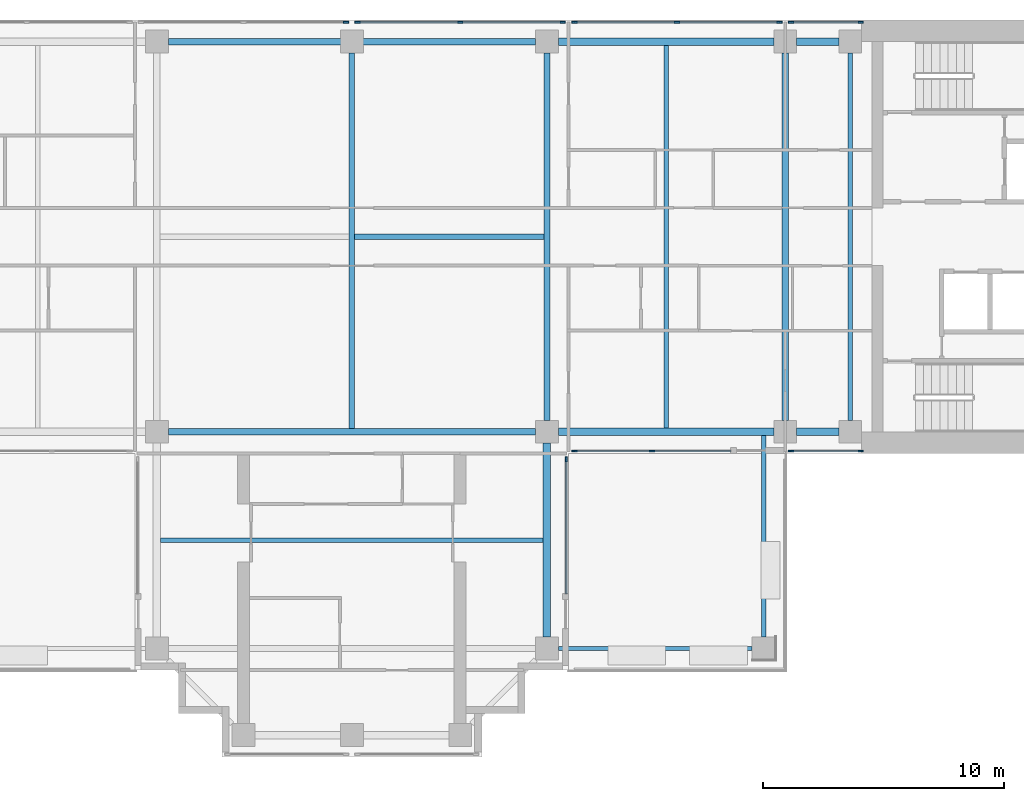
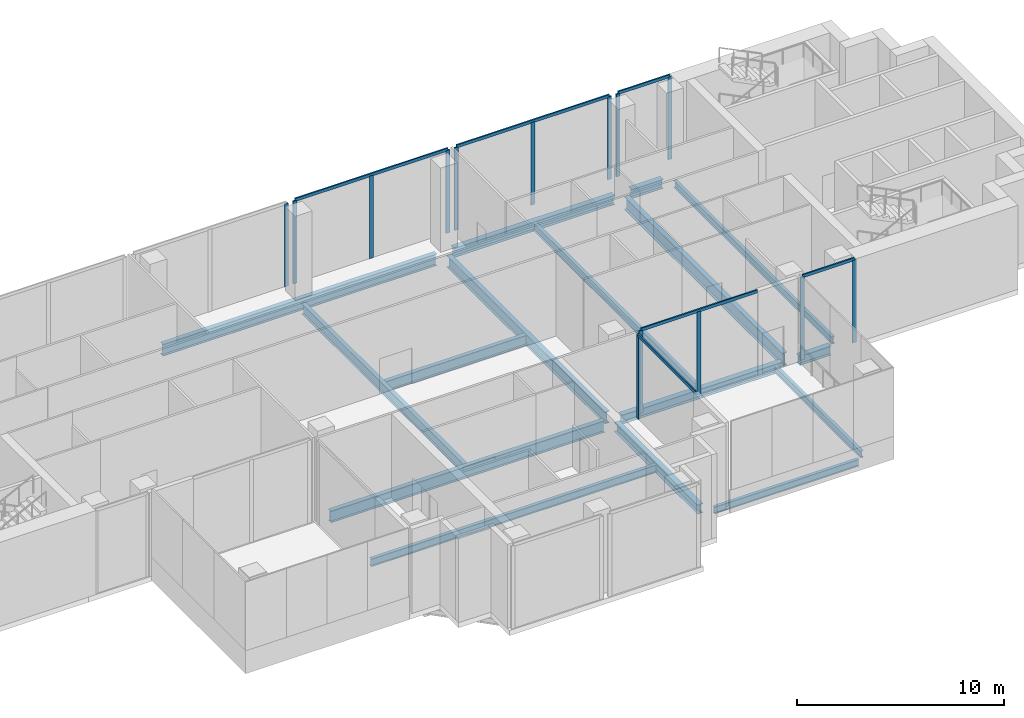
# One storey, part 3 of 12: 20 members, 16 beams, 7 elements without a shape of their own.
"""IFC4 building model written with IfcOpenShell, lengths in metres."""

from ifc_helpers import new_model, si_unit, direction, frame, origin, origin_2d, place, context, subcontext, project, spatial, rectangle, i_section, extrude, material, material_profile, profile_set, type_object, element, aggregate, save


model = new_model("IFC4")

# Units and contexts
model_context = context("Model", 3, precision=1e-05, world=origin(), true_north=direction((0.0, 1.0)))
body_context = subcontext(model_context, "Body", "Model", "MODEL_VIEW")
ifc_project = project(units=[si_unit("LENGTHUNIT", "METRE"), si_unit("AREAUNIT", "SQUARE_METRE"), si_unit("VOLUMEUNIT", "CUBIC_METRE"), si_unit("PLANEANGLEUNIT", "RADIAN"), si_unit("MASSUNIT", "GRAM", prefix="KILO")], contexts=[model_context])

# Site, building, storey
site_placement = place(None, origin())
site = spatial("IfcSite", under=ifc_project, at=site_placement, CompositionType="ELEMENT")
building_placement = place(site_placement, origin())
building = spatial("IfcBuilding", under=site, at=building_placement, Name="Perihelion Cross Residences", CompositionType="ELEMENT")
storey_placement = place(building_placement, frame((0.0, 0.0, 222.60009765625)))
storey = spatial("IfcBuildingStorey", under=building, at=storey_placement, Name="L56", CompositionType="ELEMENT", Elevation=222.60009765625)

# Curtain wall, members
ifc_material_1 = material(Name="Bronze anodised aluminium, tinted glazing", Category="aluminium")
curtain_wall_type = type_object("IfcCurtainWallType", Name="CW3", PredefinedType="NOTDEFINED", material=ifc_material_1)
curtain_wall_1_placement = place(storey_placement, origin())
curtain_wall_1 = element("IfcCurtainWall", 1, at=curtain_wall_1_placement, inside=storey, type_object=curtain_wall_type, Name="Curtain wall CW3 L56 east side north bay 1", PredefinedType="NOTDEFINED")
ifc_material_2 = material(Name="Bronze anodised aluminium", Category="aluminium")
ifc_material_profile_1 = material_profile(ifc_material_2, rectangle(XDim=0.080078125, YDim=0.219970703125, at=origin_2d()), Name="CW3 mullion")
ifc_profile_set_1 = profile_set([ifc_material_profile_1], Name="Bronze anodised aluminium")
member_type_1 = type_object("IfcMemberType", Name="CW3 mullion", PredefinedType="MULLION", material=ifc_profile_set_1)
member_1_placement = place(storey_placement, frame((21.135009765625, 8.89990234375, 0.0), z_axis=(0.0, 0.0, 1.0), x_axis=(0.0, -1.0, 0.0)))
member_1 = element("IfcMember", 2, at=member_1_placement, type_object=member_type_1, Name="CW3 mullion 1", PredefinedType="MULLION", context=body_context, shape_type="SweptSolid", body=[
    extrude(rectangle(XDim=0.080078125, YDim=0.219970703125, at=origin_2d()), origin(), (0.0, 0.0, 1.0), 4.869873046875),
])
member_2_placement = place(storey_placement, frame((18.239990234375, 8.89990234375, 0.0), z_axis=(0.0, 0.0, 1.0), x_axis=(0.0, -1.0, 0.0)))
member_2 = element("IfcMember", 3, at=member_2_placement, type_object=member_type_1, Name="CW3 mullion 2", PredefinedType="MULLION", context=body_context, shape_type="SweptSolid", body=[
    extrude(rectangle(XDim=0.080078125, YDim=0.219970703125, at=origin_2d()), origin(), (0.0, 0.0, 1.0), 4.869873046875),
])

curtain_wall_2_placement = place(storey_placement, origin())
curtain_wall_2 = element("IfcCurtainWall", 4, at=curtain_wall_2_placement, inside=storey, type_object=curtain_wall_type, Name="Curtain wall CW3 L56 east side north bay 2", PredefinedType="NOTDEFINED")
member_3_placement = place(storey_placement, frame((17.760009765625, 8.89990234375, 0.0), z_axis=(0.0, 0.0, 1.0), x_axis=(0.0, -1.0, 0.0)))
member_3 = element("IfcMember", 5, at=member_3_placement, type_object=member_type_1, Name="CW3 mullion 1", PredefinedType="MULLION", context=body_context, shape_type="SweptSolid", body=[
    extrude(rectangle(XDim=0.080078125, YDim=0.219970703125, at=origin_2d()), origin(), (0.0, 0.0, 1.0), 4.869873046875),
])
member_4_placement = place(storey_placement, frame((13.5, 8.89990234375, 0.0), z_axis=(0.0, 0.0, 1.0), x_axis=(0.0, -1.0, 0.0)))
member_4 = element("IfcMember", 6, at=member_4_placement, type_object=member_type_1, Name="CW3 mullion 2", PredefinedType="MULLION", context=body_context, shape_type="SweptSolid", body=[
    extrude(rectangle(XDim=0.080078125, YDim=0.219970703125, at=origin_2d()), origin(), (0.0, 0.0, 1.0), 4.869873046875),
])
member_5_placement = place(storey_placement, frame((9.239990234375, 8.89990234375, 0.0), z_axis=(0.0, 0.0, 1.0), x_axis=(0.0, -1.0, 0.0)))
member_5 = element("IfcMember", 7, at=member_5_placement, type_object=member_type_1, Name="CW3 mullion 3", PredefinedType="MULLION", context=body_context, shape_type="SweptSolid", body=[
    extrude(rectangle(XDim=0.080078125, YDim=0.219970703125, at=origin_2d()), origin(), (0.0, 0.0, 1.0), 4.869873046875),
])

curtain_wall_3_placement = place(storey_placement, origin())
curtain_wall_3 = element("IfcCurtainWall", 8, at=curtain_wall_3_placement, inside=storey, type_object=curtain_wall_type, Name="Curtain wall CW3 L56 north side east bay 1", PredefinedType="NOTDEFINED")
member_6_placement = place(storey_placement, frame((8.760009765625, 8.89990234375, 0.0), z_axis=(0.0, 0.0, 1.0), x_axis=(0.0, -1.0, 0.0)))
member_6 = element("IfcMember", 9, at=member_6_placement, type_object=member_type_1, Name="CW3 mullion 1", PredefinedType="MULLION", context=body_context, shape_type="SweptSolid", body=[
    extrude(rectangle(XDim=0.080078125, YDim=0.219970703125, at=origin_2d()), origin(), (0.0, 0.0, 1.0), 4.869873046875),
])
member_7_placement = place(storey_placement, frame((4.5, 8.89990234375, 0.0), z_axis=(0.0, 0.0, 1.0), x_axis=(0.0, -1.0, 0.0)))
member_7 = element("IfcMember", 10, at=member_7_placement, type_object=member_type_1, Name="CW3 mullion 2", PredefinedType="MULLION", context=body_context, shape_type="SweptSolid", body=[
    extrude(rectangle(XDim=0.080078125, YDim=0.219970703125, at=origin_2d()), origin(), (0.0, 0.0, 1.0), 4.869873046875),
])
member_8_placement = place(storey_placement, frame((0.239990234375, 8.89990234375, 0.0), z_axis=(0.0, 0.0, 1.0), x_axis=(0.0, -1.0, 0.0)))
member_8 = element("IfcMember", 11, at=member_8_placement, type_object=member_type_1, Name="CW3 mullion 3", PredefinedType="MULLION", context=body_context, shape_type="SweptSolid", body=[
    extrude(rectangle(XDim=0.080078125, YDim=0.219970703125, at=origin_2d()), origin(), (0.0, 0.0, 1.0), 4.869873046875),
])

# Curtain wall, member
curtain_wall_4_placement = place(storey_placement, origin())
curtain_wall_4 = element("IfcCurtainWall", 12, at=curtain_wall_4_placement, inside=storey, type_object=curtain_wall_type, Name="Curtain wall CW3 L56 north side east bay 2", PredefinedType="NOTDEFINED")
member_9_placement = place(storey_placement, frame((-0.239990234375, 8.89990234375, 0.0), z_axis=(0.0, 0.0, 1.0), x_axis=(0.0, -1.0, 0.0)))
member_9 = element("IfcMember", 13, at=member_9_placement, type_object=member_type_1, Name="CW3 mullion 1", PredefinedType="MULLION", context=body_context, shape_type="SweptSolid", body=[
    extrude(rectangle(XDim=0.080078125, YDim=0.219970703125, at=origin_2d()), origin(), (0.0, 0.0, 1.0), 4.869873046875),
])
aggregate(curtain_wall_4, [member_9])

curtain_wall_5_placement = place(storey_placement, origin())
curtain_wall_5 = element("IfcCurtainWall", 14, at=curtain_wall_5_placement, inside=storey, type_object=curtain_wall_type, Name="Curtain wall CW3 L56 south side east bay 1", PredefinedType="NOTDEFINED")
member_10_placement = place(storey_placement, frame((8.89990234375, -9.239990234375, 0.0), z_axis=(0.0, 0.0, 1.0), x_axis=(-1.0, 0.0, 0.0)))
member_10 = element("IfcMember", 15, at=member_10_placement, type_object=member_type_1, Name="CW3 mullion 2", PredefinedType="MULLION", context=body_context, shape_type="SweptSolid", body=[
    extrude(rectangle(XDim=0.080078125, YDim=0.219970703125, at=origin_2d()), origin(), (0.0, 0.0, 1.0), 4.869873046875),
])

# Curtain wall, members
curtain_wall_6_placement = place(storey_placement, origin())
curtain_wall_6 = element("IfcCurtainWall", 16, at=curtain_wall_6_placement, inside=storey, type_object=curtain_wall_type, Name="Curtain wall CW3 L56 east side south bay 1", PredefinedType="NOTDEFINED")
member_11_placement = place(storey_placement, frame((9.239990234375, -8.89990234375, 0.0), z_axis=(0.0, 0.0, 1.0), x_axis=(0.0, 1.0, 0.0)))
member_11 = element("IfcMember", 17, at=member_11_placement, type_object=member_type_1, Name="CW3 mullion 1", PredefinedType="MULLION", context=body_context, shape_type="SweptSolid", body=[
    extrude(rectangle(XDim=0.080078125, YDim=0.219970703125, at=origin_2d()), origin(), (0.0, 0.0, 1.0), 4.869873046875),
])
member_12_placement = place(storey_placement, frame((12.46240234375, -8.89990234375, 0.0), z_axis=(0.0, 0.0, 1.0), x_axis=(0.0, 1.0, 0.0)))
member_12 = element("IfcMember", 18, at=member_12_placement, type_object=member_type_1, Name="CW3 mullion 2", PredefinedType="MULLION", context=body_context, shape_type="SweptSolid", body=[
    extrude(rectangle(XDim=0.080078125, YDim=0.219970703125, at=origin_2d()), origin(), (0.0, 0.0, 1.0), 4.869873046875),
])

curtain_wall_7_placement = place(storey_placement, origin())
curtain_wall_7 = element("IfcCurtainWall", 19, at=curtain_wall_7_placement, inside=storey, type_object=curtain_wall_type, Name="Curtain wall CW3 L56 east side south bay 2", PredefinedType="NOTDEFINED")
member_13_placement = place(storey_placement, frame((18.239990234375, -8.89990234375, 0.0), z_axis=(0.0, 0.0, 1.0), x_axis=(0.0, 1.0, 0.0)))
member_13 = element("IfcMember", 20, at=member_13_placement, type_object=member_type_1, Name="CW3 mullion 1", PredefinedType="MULLION", context=body_context, shape_type="SweptSolid", body=[
    extrude(rectangle(XDim=0.080078125, YDim=0.219970703125, at=origin_2d()), origin(), (0.0, 0.0, 1.0), 4.869873046875),
])
member_14_placement = place(storey_placement, frame((21.135009765625, -8.89990234375, 0.0), z_axis=(0.0, 0.0, 1.0), x_axis=(0.0, 1.0, 0.0)))
member_14 = element("IfcMember", 21, at=member_14_placement, type_object=member_type_1, Name="CW3 mullion 2", PredefinedType="MULLION", context=body_context, shape_type="SweptSolid", body=[
    extrude(rectangle(XDim=0.080078125, YDim=0.219970703125, at=origin_2d()), origin(), (0.0, 0.0, 1.0), 4.869873046875),
])

# Member
ifc_material_3 = material(Name="Bronze anodised aluminium", Category="aluminium")
ifc_material_profile_2 = material_profile(ifc_material_3, rectangle(XDim=0.080078125, YDim=0.179931640625, at=origin_2d()), Name="CW3 transom")
ifc_profile_set_2 = profile_set([ifc_material_profile_2], Name="Bronze anodised aluminium")
member_type_2 = type_object("IfcMemberType", Name="CW3 transom", PredefinedType="USERDEFINED", material=ifc_profile_set_2)
member_15_placement = place(storey_placement, frame((21.135009765625, 8.89990234375, 4.909912109375), z_axis=(-1.0, 0.0, 0.0), x_axis=(0.0, -1.0, 0.0)))
member_15 = element("IfcMember", 22, at=member_15_placement, type_object=member_type_2, Name="CW3 head transom", ObjectType="TRANSOM", PredefinedType="USERDEFINED", context=body_context, shape_type="SweptSolid", body=[
    extrude(rectangle(XDim=0.080078125, YDim=0.179931640625, at=origin_2d()), origin(), (0.0, 0.0, 1.0), 2.89501953125),
])

aggregate(curtain_wall_1, [member_1, member_2, member_15])

member_16_placement = place(storey_placement, frame((17.760009765625, 8.89990234375, 4.909912109375), z_axis=(-1.0, 0.0, 0.0), x_axis=(0.0, -1.0, 0.0)))
member_16 = element("IfcMember", 23, at=member_16_placement, type_object=member_type_2, Name="CW3 head transom", ObjectType="TRANSOM", PredefinedType="USERDEFINED", context=body_context, shape_type="SweptSolid", body=[
    extrude(rectangle(XDim=0.080078125, YDim=0.179931640625, at=origin_2d()), origin(), (0.0, 0.0, 1.0), 8.52001953125),
])

aggregate(curtain_wall_2, [member_3, member_4, member_5, member_16])

member_17_placement = place(storey_placement, frame((8.760009765625, 8.89990234375, 4.909912109375), z_axis=(-1.0, 0.0, 0.0), x_axis=(0.0, -1.0, 0.0)))
member_17 = element("IfcMember", 24, at=member_17_placement, type_object=member_type_2, Name="CW3 head transom", ObjectType="TRANSOM", PredefinedType="USERDEFINED", context=body_context, shape_type="SweptSolid", body=[
    extrude(rectangle(XDim=0.080078125, YDim=0.179931640625, at=origin_2d()), origin(), (0.0, 0.0, 1.0), 8.52001953125),
])

aggregate(curtain_wall_3, [member_6, member_7, member_8, member_17])

member_18_placement = place(storey_placement, frame((8.89990234375, -14.824951171875, 4.909912109375), z_axis=(0.0, 1.0, 0.0), x_axis=(-1.0, 0.0, 0.0)))
member_18 = element("IfcMember", 25, at=member_18_placement, type_object=member_type_2, Name="CW3 head transom", ObjectType="TRANSOM", PredefinedType="USERDEFINED", context=body_context, shape_type="SweptSolid", body=[
    extrude(rectangle(XDim=0.080078125, YDim=0.179931640625, at=origin_2d()), origin(), (0.0, 0.0, 1.0), 5.5849609375),
])

aggregate(curtain_wall_5, [member_10, member_18])

member_19_placement = place(storey_placement, frame((9.239990234375, -8.89990234375, 4.909912109375), z_axis=(1.0, 0.0, 0.0), x_axis=(0.0, 1.0, 0.0)))
member_19 = element("IfcMember", 26, at=member_19_placement, type_object=member_type_2, Name="CW3 head transom", ObjectType="TRANSOM", PredefinedType="USERDEFINED", context=body_context, shape_type="SweptSolid", body=[
    extrude(rectangle(XDim=0.080078125, YDim=0.179931640625, at=origin_2d()), origin(), (0.0, 0.0, 1.0), 6.485107421875),
])

aggregate(curtain_wall_6, [member_11, member_12, member_19])

member_20_placement = place(storey_placement, frame((18.239990234375, -8.89990234375, 4.909912109375), z_axis=(1.0, 0.0, 0.0), x_axis=(0.0, 1.0, 0.0)))
member_20 = element("IfcMember", 27, at=member_20_placement, type_object=member_type_2, Name="CW3 head transom", ObjectType="TRANSOM", PredefinedType="USERDEFINED", context=body_context, shape_type="SweptSolid", body=[
    extrude(rectangle(XDim=0.080078125, YDim=0.179931640625, at=origin_2d()), origin(), (0.0, 0.0, 1.0), 2.89501953125),
])

aggregate(curtain_wall_7, [member_13, member_14, member_20])

# Beams
ifc_material_4 = material(Name="Steel S355", Category="steel")
ifc_material_profile_3 = material_profile(ifc_material_4, i_section(OverallWidth=0.177978515625, OverallDepth=0.406005859375, WebThickness=0.0078125, FlangeThickness=0.0126953125, at=origin_2d()), Name="W410x60")
ifc_profile_set_3 = profile_set([ifc_material_profile_3], Name="Steel S355")
beam_type_1 = type_object("IfcBeamType", Name="Core edge beam W410x60", PredefinedType="BEAM", material=ifc_profile_set_3)
beam_1_placement = place(storey_placement, frame((17.10009765625, -8.256103515625, -0.503173828125), z_axis=(0.0, -1.0, 0.0), x_axis=(1.0, 0.0, 0.0)))
element("IfcBeam", 28, at=beam_1_placement, inside=storey, type_object=beam_type_1, Name="Core edge beam TB2 L56 corner no. 3", PredefinedType="BEAM", context=body_context, shape_type="SweptSolid", body=[
    extrude(i_section(OverallWidth=0.177978515625, OverallDepth=0.406005859375, WebThickness=0.0078125, FlangeThickness=0.0126953125, at=origin_2d()), origin(), (0.0, 0.0, 1.0), 8.368896484375),
])
beam_2_placement = place(storey_placement, frame((8.574951171875, -17.10009765625, -0.503173828125), z_axis=(1.0, 0.0, 0.0), x_axis=(0.0, 1.0, 0.0)))
element("IfcBeam", 29, at=beam_2_placement, inside=storey, type_object=beam_type_1, Name="Core edge beam TB2 L56 corner no. 4", PredefinedType="BEAM", context=body_context, shape_type="SweptSolid", body=[
    extrude(i_section(OverallWidth=0.177978515625, OverallDepth=0.406005859375, WebThickness=0.0078125, FlangeThickness=0.0126953125, at=origin_2d()), origin(), (0.0, 0.0, 1.0), 8.050048828125),
])
ifc_material_5 = material(Name="Steel S355", Category="steel")
ifc_material_profile_4 = material_profile(ifc_material_5, i_section(OverallWidth=0.180908203125, OverallDepth=0.4169921875, WebThickness=0.010986328125, FlangeThickness=0.018310546875, at=origin_2d()), Name="W410x85")
ifc_profile_set_4 = profile_set([ifc_material_profile_4], Name="Steel S355")
beam_type_2 = type_object("IfcBeamType", Name="Core edge beam W410x85", PredefinedType="BEAM", material=ifc_profile_set_4)
beam_3_placement = place(storey_placement, frame((20.699951171875, -7.625, -0.508544921875), z_axis=(0.0, 1.0, 0.0), x_axis=(-1.0, 0.0, 0.0)))
element("IfcBeam", 30, at=beam_3_placement, inside=storey, type_object=beam_type_2, Name="Core edge beam TB6 L56 no. 2", PredefinedType="BEAM", context=body_context, shape_type="SweptSolid", body=[
    extrude(i_section(OverallWidth=0.180908203125, OverallDepth=0.4169921875, WebThickness=0.010986328125, FlangeThickness=0.018310546875, at=origin_2d()), origin(), (0.0, 0.0, 1.0), 15.25),
])
ifc_material_6 = material(Name="Steel S355", Category="steel")
ifc_material_profile_5 = material_profile(ifc_material_6, i_section(OverallWidth=0.31201171875, OverallDepth=0.5439453125, WebThickness=0.0126953125, FlangeThickness=0.020263671875, at=origin_2d()), Name="W530x150")
ifc_profile_set_5 = profile_set([ifc_material_profile_5], Name="Steel S355")
beam_type_3 = type_object("IfcBeamType", Name="Edge beam W530x150", PredefinedType="SPANDREL", material=ifc_profile_set_5)
beam_4_placement = place(storey_placement, frame((20.22509765625, 8.10009765625, -0.572021484375), z_axis=(-1.0, 0.0, 0.0), x_axis=(0.0, -1.0, 0.0)))
element("IfcBeam", 31, at=beam_4_placement, inside=storey, type_object=beam_type_3, Name="Edge beam SB4 L56 no. 10", PredefinedType="SPANDREL", context=body_context, shape_type="SweptSolid", body=[
    extrude(i_section(OverallWidth=0.31201171875, OverallDepth=0.5439453125, WebThickness=0.0126953125, FlangeThickness=0.020263671875, at=origin_2d()), origin(), (0.0, 0.0, 1.0), 1.75),
])
beam_5_placement = place(storey_placement, frame((17.52490234375, 8.10009765625, -0.572021484375), z_axis=(-1.0, 0.0, 0.0), x_axis=(0.0, -1.0, 0.0)))
element("IfcBeam", 32, at=beam_5_placement, inside=storey, type_object=beam_type_3, Name="Edge beam SB4 L56 no. 9", PredefinedType="SPANDREL", context=body_context, shape_type="SweptSolid", body=[
    extrude(i_section(OverallWidth=0.31201171875, OverallDepth=0.5439453125, WebThickness=0.0126953125, FlangeThickness=0.020263671875, at=origin_2d()), origin(), (0.0, 0.0, 1.0), 8.949951171875),
])
beam_6_placement = place(storey_placement, frame((8.10009765625, -16.625, -0.572021484375), z_axis=(0.0, 1.0, 0.0), x_axis=(-1.0, 0.0, 0.0)))
element("IfcBeam", 33, at=beam_6_placement, inside=storey, type_object=beam_type_3, Name="Edge beam SB4 L56 no. 11", PredefinedType="SPANDREL", context=body_context, shape_type="SweptSolid", body=[
    extrude(i_section(OverallWidth=0.31201171875, OverallDepth=0.5439453125, WebThickness=0.0126953125, FlangeThickness=0.020263671875, at=origin_2d()), origin(), (0.0, 0.0, 1.0), 8.050048828125),
])
beam_7_placement = place(storey_placement, frame((8.574951171875, -8.10009765625, -0.572021484375), z_axis=(1.0, 0.0, 0.0), x_axis=(0.0, 1.0, 0.0)))
element("IfcBeam", 34, at=beam_7_placement, inside=storey, type_object=beam_type_3, Name="Edge beam SB4 L56 no. 12", PredefinedType="SPANDREL", context=body_context, shape_type="SweptSolid", body=[
    extrude(i_section(OverallWidth=0.31201171875, OverallDepth=0.5439453125, WebThickness=0.0126953125, FlangeThickness=0.020263671875, at=origin_2d()), origin(), (0.0, 0.0, 1.0), 8.949951171875),
])
beam_8_placement = place(storey_placement, frame((18.47509765625, -8.10009765625, -0.572021484375), z_axis=(1.0, 0.0, 0.0), x_axis=(0.0, 1.0, 0.0)))
element("IfcBeam", 35, at=beam_8_placement, inside=storey, type_object=beam_type_3, Name="Edge beam SB4 L56 no. 8", PredefinedType="SPANDREL", context=body_context, shape_type="SweptSolid", body=[
    extrude(i_section(OverallWidth=0.31201171875, OverallDepth=0.5439453125, WebThickness=0.0126953125, FlangeThickness=0.020263671875, at=origin_2d()), origin(), (0.0, 0.0, 1.0), 1.75),
])
ifc_material_7 = material(Name="Steel S355", Category="steel")
ifc_material_profile_6 = material_profile(ifc_material_7, i_section(OverallWidth=0.26708984375, OverallDepth=0.77001953125, WebThickness=0.015625, FlangeThickness=0.025390625, at=origin_2d()), Name="W760x196")
ifc_profile_set_6 = profile_set([ifc_material_profile_6], Name="Steel S355")
beam_type_4 = type_object("IfcBeamType", Name="Floor girder W760x196", PredefinedType="BEAM", material=ifc_profile_set_6)
beam_9_placement = place(storey_placement, frame((18.0, -7.625, -0.68505859375), z_axis=(0.0, 1.0, 0.0), x_axis=(-1.0, 0.0, 0.0)))
element("IfcBeam", 36, at=beam_9_placement, inside=storey, type_object=beam_type_4, Name="Girder G4 L56 no. 2", PredefinedType="BEAM", context=body_context, shape_type="SweptSolid", body=[
    extrude(i_section(OverallWidth=0.26708984375, OverallDepth=0.77001953125, WebThickness=0.015625, FlangeThickness=0.025390625, at=origin_2d()), origin(), (0.0, 0.0, 1.0), 15.25),
])
ifc_material_8 = material(Name="Steel S355", Category="steel")
ifc_material_profile_7 = material_profile(ifc_material_8, i_section(OverallWidth=0.19091796875, OverallDepth=0.45703125, WebThickness=0.009033203125, FlangeThickness=0.014404296875, at=origin_2d()), Name="W460x74")
ifc_profile_set_7 = profile_set([ifc_material_profile_7], Name="Steel S355")
beam_type_5 = type_object("IfcBeamType", Name="Floor joist W460x74", PredefinedType="JOIST", material=ifc_profile_set_7)
for number, where, z_axis, x_axis, name in (
    (37, (13.050048828125, -7.944091796875, -0.528564453125), (0.0, 1.0, 0.0), (-1.0, 0.0, 0.0), "Joist J5 L56 no. 2"),
    (38, (-7.944091796875, -12.60009765625, -0.528564453125), (1.0, 0.0, 0.0), (0.0, 1.0, 0.0), "Joist J5 L56 no. 3"),
):
    element("IfcBeam", number, at=place(storey_placement, frame(where, z_axis=z_axis, x_axis=x_axis)), inside=storey, type_object=beam_type_5, Name=name, PredefinedType="JOIST", context=body_context, shape_type="SweptSolid", body=[
        extrude(i_section(OverallWidth=0.19091796875, OverallDepth=0.45703125, WebThickness=0.009033203125, FlangeThickness=0.014404296875, at=origin_2d()), origin(), (0.0, 0.0, 1.0), 15.88818359375),
    ])
ifc_material_9 = material(Name="Steel S355", Category="steel")
ifc_material_profile_8 = material_profile(ifc_material_9, i_section(OverallWidth=0.22900390625, OverallDepth=0.612060546875, WebThickness=0.011962890625, FlangeThickness=0.01953125, at=origin_2d()), Name="W610x125")
ifc_profile_set_8 = profile_set([ifc_material_profile_8], Name="Steel S355")
beam_type_6 = type_object("IfcBeamType", Name="Hub cross beam W610x125", PredefinedType="BEAM", material=ifc_profile_set_8)
beam_10_placement = place(storey_placement, frame((0.0, -7.971435546875, -0.606201171875), z_axis=(0.0, 1.0, 0.0), x_axis=(-1.0, 0.0, 0.0)))
element("IfcBeam", 39, at=beam_10_placement, inside=storey, type_object=beam_type_6, Name="Hub cross beam XB4 L56 no. 1", PredefinedType="BEAM", context=body_context, shape_type="SweptSolid", body=[
    extrude(i_section(OverallWidth=0.22900390625, OverallDepth=0.612060546875, WebThickness=0.011962890625, FlangeThickness=0.01953125, at=origin_2d()), origin(), (0.0, 0.0, 1.0), 15.596435546875),
])
beam_11_placement = place(storey_placement, frame((0.114501953125, 0.0, -0.606201171875), z_axis=(1.0, 0.0, 0.0), x_axis=(0.0, 1.0, 0.0)))
element("IfcBeam", 40, at=beam_11_placement, inside=storey, type_object=beam_type_6, Name="Hub cross beam XB4 L56 2 no. 1", PredefinedType="BEAM", context=body_context, shape_type="SweptSolid", body=[
    extrude(i_section(OverallWidth=0.22900390625, OverallDepth=0.612060546875, WebThickness=0.011962890625, FlangeThickness=0.01953125, at=origin_2d()), origin(), (0.0, 0.0, 1.0), 7.85693359375),
])
ifc_material_10 = material(Name="Steel S355", Category="steel")
ifc_material_profile_9 = material_profile(ifc_material_10, i_section(OverallWidth=0.257080078125, OverallDepth=0.693115234375, WebThickness=0.014404296875, FlangeThickness=0.023681640625, at=origin_2d()), Name="W690x170")
ifc_profile_set_9 = profile_set([ifc_material_profile_9], Name="Steel S355")
beam_type_7 = type_object("IfcBeamType", Name="Hub ring girder W690x170", PredefinedType="BEAM", material=ifc_profile_set_9)
for number, where, z_axis, x_axis, name in (
    (41, (-7.625, -8.10009765625, -0.646484375), (1.0, 0.0, 0.0), (0.0, 1.0, 0.0), "Hub ring girder RG4 L56 no. 1"),
    (42, (8.10009765625, -7.625, -0.646484375), (0.0, 1.0, 0.0), (-1.0, 0.0, 0.0), "Hub ring girder RG4 L56 no. 3"),
    (43, (7.625, 8.10009765625, -0.646484375), (-1.0, 0.0, 0.0), (0.0, -1.0, 0.0), "Hub ring girder RG4 L56 no. 4"),
):
    element("IfcBeam", number, at=place(storey_placement, frame(where, z_axis=z_axis, x_axis=x_axis)), inside=storey, type_object=beam_type_7, Name=name, PredefinedType="BEAM", context=body_context, shape_type="SweptSolid", body=[
        extrude(i_section(OverallWidth=0.257080078125, OverallDepth=0.693115234375, WebThickness=0.014404296875, FlangeThickness=0.023681640625, at=origin_2d()), origin(), (0.0, 0.0, 1.0), 15.25),
    ])

save(model, "model.ifc")
